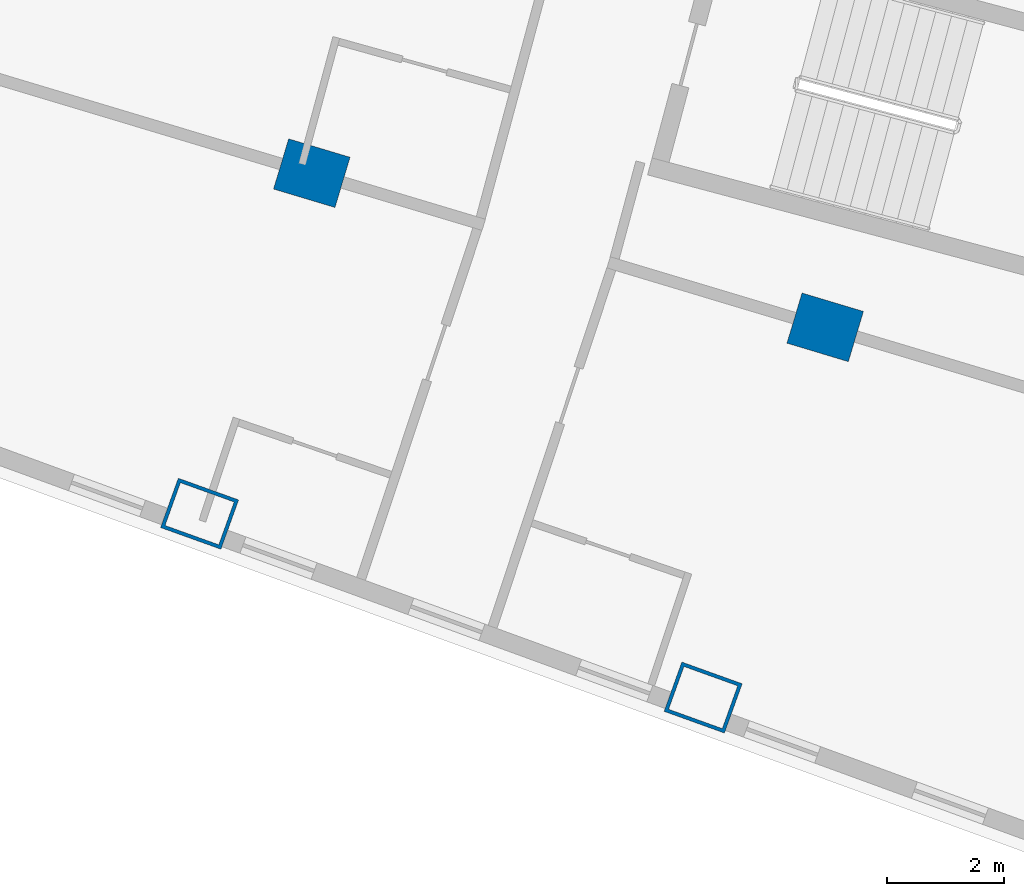
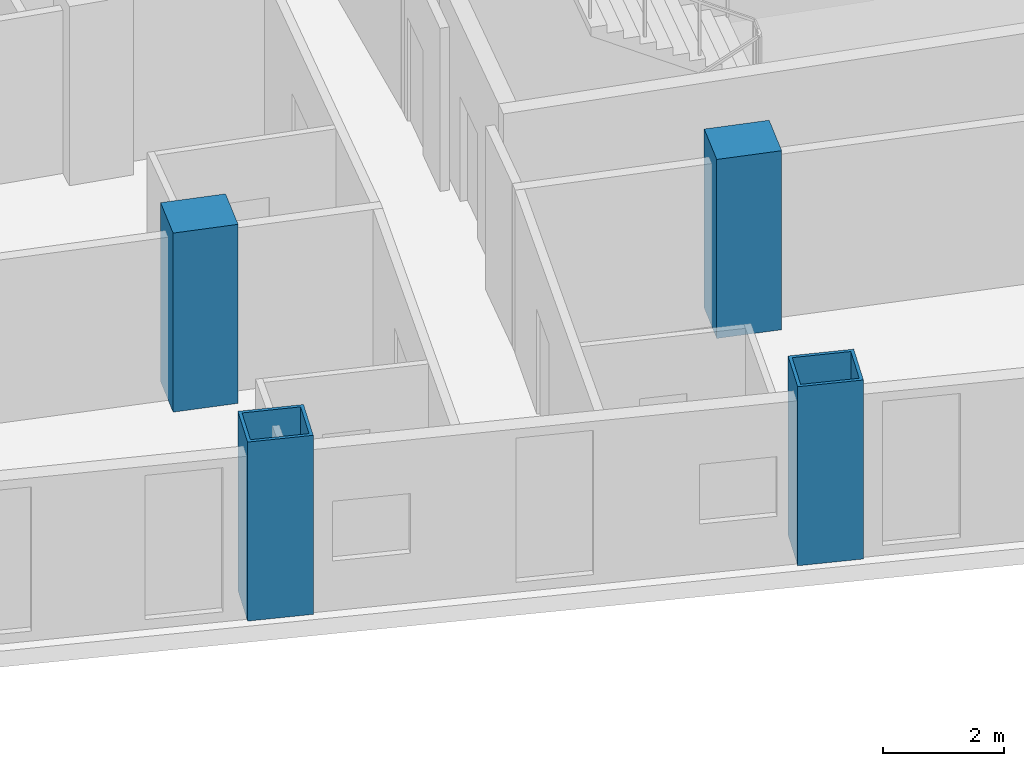
# One storey, part 2 of 25: 4 columns.
"""IFC4 building model written with IfcOpenShell, lengths in metres."""

from ifc_helpers import new_model, si_unit, direction, frame, origin, origin_2d, place, context, subcontext, project, spatial, rectangle, hollow_rectangle, extrude, material, material_profile, profile_set, type_object, element, save


model = new_model("IFC4")

# Units and contexts
model_context = context("Model", 3, precision=1e-05, world=origin(), true_north=direction((0.0, 1.0)))
body_context = subcontext(model_context, "Body", "Model", "MODEL_VIEW")
ifc_project = project(units=[si_unit("LENGTHUNIT", "METRE"), si_unit("AREAUNIT", "SQUARE_METRE"), si_unit("VOLUMEUNIT", "CUBIC_METRE"), si_unit("PLANEANGLEUNIT", "RADIAN"), si_unit("MASSUNIT", "GRAM", prefix="KILO")], contexts=[model_context])

# Site, building, storey
site_placement = place(None, origin())
site = spatial("IfcSite", under=ifc_project, at=site_placement, CompositionType="ELEMENT")
building_placement = place(site_placement, origin())
building = spatial("IfcBuilding", under=site, at=building_placement, Name="Alderwake Tower", CompositionType="ELEMENT")
storey_placement = place(building_placement, frame((0.0, 0.0, 35.60009765625)))
storey = spatial("IfcBuildingStorey", under=building, at=storey_placement, Name="L07", CompositionType="ELEMENT", Elevation=35.60009765625)

# Columns
ifc_material_1 = material(Name="Steel ASTM A572 Grade 50 concrete filled C70/85", Category="concrete")
ifc_material_profile_1 = material_profile(ifc_material_1, hollow_rectangle(XDim=0.89990234375, YDim=1.10009765625, WallThickness=0.06005859375, at=origin_2d()), Name="BOX 1100X900X60")
ifc_profile_set_1 = profile_set([ifc_material_profile_1], Name="Steel ASTM A572 Grade 50 concrete filled C70/85")
column_type_1 = type_object("IfcColumnType", Name="End column Z1", PredefinedType="COLUMN", material=ifc_profile_set_1)
for number, where, z_axis, x_axis, name in (
    (1, (28.983642578125, 21.856689453125, 0.0), (0.0, 0.0, 1.0), (0.338026774049, 0.941136493834, 0.0), "Column R01-C2"),
    (2, (37.6259765625, 18.701904296875, 0.0), (0.0, 0.0, 1.0), (0.338384834858, 0.941007812687, 0.0), "Column R01-C3"),
):
    element("IfcColumn", number, at=place(storey_placement, frame(where, z_axis=z_axis, x_axis=x_axis)), inside=storey, type_object=column_type_1, Name=name, PredefinedType="COLUMN", context=body_context, shape_type="SweptSolid", body=[
        extrude(hollow_rectangle(XDim=0.89990234375, YDim=1.10009765625, WallThickness=0.06005859375, at=origin_2d()), origin(), (0.0, 0.0, 1.0), 3.599853515625),
    ])
ifc_material_2 = material(Name="Concrete C70/85", Category="concrete")
ifc_material_profile_2 = material_profile(ifc_material_2, rectangle(XDim=0.89990234375, YDim=1.10009765625, at=origin_2d()), Name="RC 1100X900")
ifc_profile_set_2 = profile_set([ifc_material_profile_2], Name="Concrete C70/85")
column_type_2 = type_object("IfcColumnType", Name="Interior column Z1", PredefinedType="COLUMN", material=ifc_profile_set_2)
for number, where, z_axis, x_axis, name in (
    (3, (30.9091796875, 27.701904296875, 0.0), (0.0, 0.0, 1.0), (0.287549418125, 0.957765802342, 0.0), "Column R02-C2"),
    (4, (39.720703125, 25.056396484375, 0.0), (0.0, 0.0, 1.0), (0.287549418125, 0.957765802342, 0.0), "Column R02-C3"),
):
    element("IfcColumn", number, at=place(storey_placement, frame(where, z_axis=z_axis, x_axis=x_axis)), inside=storey, type_object=column_type_2, Name=name, PredefinedType="COLUMN", context=body_context, shape_type="SweptSolid", body=[
        extrude(rectangle(XDim=0.89990234375, YDim=1.10009765625, at=origin_2d()), origin(), (0.0, 0.0, 1.0), 3.599853515625),
    ])

save(model, "model.ifc")
